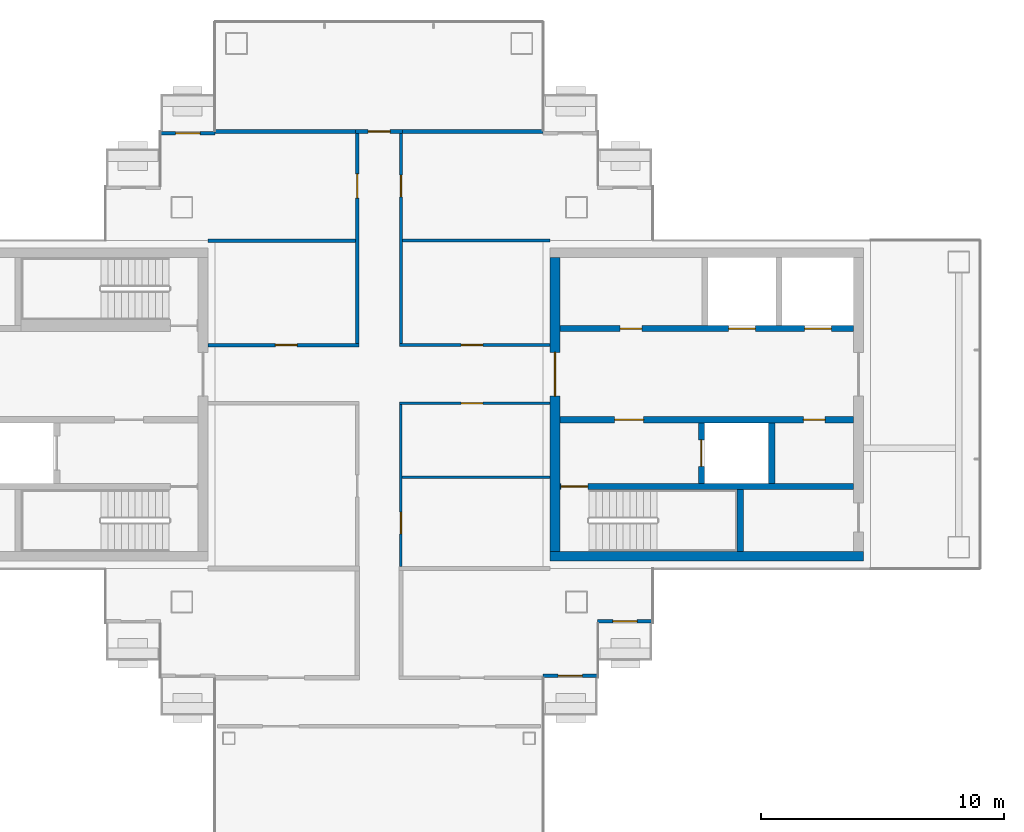
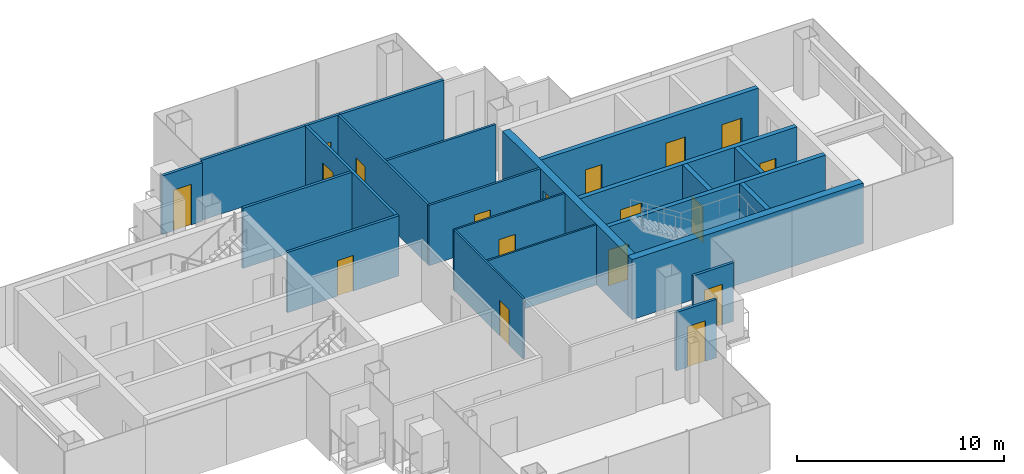
# One storey, part 10 of 16: 23 walls, 18 doors, 18 openings.
"""IFC4 building model written with IfcOpenShell, lengths in metres."""

import ifcopenshell
import ifcopenshell.guid

model = None  # the IFC model being written
_history = None  # IfcOwnerHistory: only IFC2X3 demands one
_inside = {}  # id of a spatial element -> (the spatial element, [elements in it])
_under = {}  # id of a project, library or spatial element -> (it, [spatial elements below it])
_declared = {}  # id of a project -> (the project, [libraries it declares])
_typed = {}  # id of a type object -> (the type object, [elements of that type])
_made_of = {}  # id of a material, layer set ... -> (it, [elements and type objects made of it])


def new_model(schema):
    """Start an empty IFC model of exactly this schema.

    Asked for "IFC4X3", IfcOpenShell would pick the latest addendum, in which some entities
    have other attributes; the version numbers below select the first issue.
    IFC2X3 requires an IfcOwnerHistory on every rooted entity: one is made here for all.
    """
    global model, _history
    if schema == "IFC4X3":
        model = ifcopenshell.file(schema_version=(4, 3, 0, 0))
    else:
        model = ifcopenshell.file(schema=schema)
    _inside.clear()
    _under.clear()
    _declared.clear()
    _typed.clear()
    _made_of.clear()
    _history = None
    if model.schema == "IFC2X3":
        org = make("IfcOrganization", Name="unknown")
        user = make(
            "IfcPersonAndOrganization",
            ThePerson=make("IfcPerson", FamilyName="unknown"),
            TheOrganization=org,
        )
        app = make(
            "IfcApplication",
            ApplicationDeveloper=org,
            Version="unknown",
            ApplicationFullName="unknown",
            ApplicationIdentifier="unknown",
        )
        _history = make(
            "IfcOwnerHistory",
            OwningUser=user,
            OwningApplication=app,
            ChangeAction="ADDED",
            CreationDate=0,
        )
    return model


def make(cls, **values):
    """One entity of the class cls with the attributes given. An attribute that is None is left unset."""
    return model.create_entity(
        cls, **{name: value for name, value in values.items() if value is not None}
    )


def rooted(cls, **values):
    """An entity with a GlobalId (a new one), such as an element, a storey or a relation."""
    return make(cls, GlobalId=ifcopenshell.guid.new(), OwnerHistory=_history, **values)


def si_unit(unit_type, name, prefix=None):
    """IfcSIUnit, for example si_unit("LENGTHUNIT", "METRE", prefix="MILLI")."""
    return make("IfcSIUnit", UnitType=unit_type, Prefix=prefix, Name=name)


def assignment(units):
    """IfcUnitAssignment: the units of a project."""
    return None if units is None else make("IfcUnitAssignment", Units=units)


def point(xyz):
    """IfcCartesianPoint."""
    return None if xyz is None else make("IfcCartesianPoint", Coordinates=xyz)


def direction(xyz):
    """IfcDirection."""
    return None if xyz is None else make("IfcDirection", DirectionRatios=xyz)


def frame(location, z_axis=None, x_axis=None):
    """IfcAxis2Placement3D, a coordinate frame: its origin and axes. An axis left out is left unset."""
    return make(
        "IfcAxis2Placement3D",
        Location=point(location),
        Axis=direction(z_axis),
        RefDirection=direction(x_axis),
    )


def frame_2d(location, x_axis=None):
    """IfcAxis2Placement2D, a coordinate frame in the plane: its origin and x axis."""
    return make(
        "IfcAxis2Placement2D", Location=point(location), RefDirection=direction(x_axis)
    )


def origin():
    """The frame at (0, 0, 0) with its axes left unset."""
    return frame((0.0, 0.0, 0.0))


def place(relative_to, where):
    """IfcLocalPlacement: puts the frame where relative to a parent placement (None: the world)."""
    return make(
        "IfcLocalPlacement", PlacementRelTo=relative_to, RelativePlacement=where
    )


def context(
    kind, dimensions, precision=None, world=None, true_north=None, identifier=None
):
    """IfcGeometricRepresentationContext, for example the 3D "Model" context."""
    return make(
        "IfcGeometricRepresentationContext",
        ContextIdentifier=identifier,
        ContextType=kind,
        CoordinateSpaceDimension=dimensions,
        Precision=precision,
        WorldCoordinateSystem=world,
        TrueNorth=true_north,
    )


def subcontext(parent, identifier, kind, view, scale=None):
    """IfcGeometricRepresentationSubContext, for example "Body" below "Model"."""
    return make(
        "IfcGeometricRepresentationSubContext",
        ContextIdentifier=identifier,
        ContextType=kind,
        ParentContext=parent,
        TargetScale=scale,
        TargetView=view,
    )


def project(units=None, contexts=None):
    """IfcProject with its units and contexts."""
    return rooted(
        "IfcProject",
        Name="project",
        RepresentationContexts=contexts,
        UnitsInContext=assignment(units),
    )


def spatial(cls, under=None, at=None, **own):
    """A site, building, storey or space (cls), placed at a placement, below another one or the project."""
    s = rooted(cls, ObjectPlacement=at, **own)
    if under is not None:
        _under.setdefault(under.id(), (under, []))[1].append(s)
    return s


def profile(cls, at=None, kind="AREA", **sizes):
    """A parametric profile (cls). Its sizes go by their IFC names, for example OverallWidth=200.0."""
    return make(cls, ProfileType=kind, Position=at, **sizes)


def rectangle(**sizes):
    """IfcRectangleProfileDef."""
    return profile("IfcRectangleProfileDef", **sizes)


def extrude(swept, where, along, depth):
    """IfcExtrudedAreaSolid: the profile swept, set in the frame where, extruded along a direction by depth."""
    return make(
        "IfcExtrudedAreaSolid",
        SweptArea=swept,
        Position=where,
        ExtrudedDirection=direction(along),
        Depth=depth,
    )


def shape(context_of_items, identifier, shape_type, items):
    """IfcShapeRepresentation: the items that make up one representation, for example the "Body"."""
    return make(
        "IfcShapeRepresentation",
        ContextOfItems=context_of_items,
        RepresentationIdentifier=identifier,
        RepresentationType=shape_type,
        Items=items,
    )


def material(Name=None, Category=None):
    """IfcMaterial."""
    return make("IfcMaterial", Name=Name, Category=Category)


def layer(
    of_material, thickness, ventilated=None, Name=None, Category=None, Priority=None
):
    """IfcMaterialLayer: one layer of a wall or slab, of a material (None: an air gap)."""
    return make(
        "IfcMaterialLayer",
        Material=of_material,
        LayerThickness=thickness,
        IsVentilated=ventilated,
        Name=Name,
        Category=Category,
        Priority=Priority,
    )


def layer_set(layers, Name=None):
    """IfcMaterialLayerSet."""
    return make("IfcMaterialLayerSet", MaterialLayers=layers, LayerSetName=Name)


def made_of(thing, what):
    """Note that an element or type object is made of a material, layer set ...; save() writes the relation."""
    if what is not None:
        _made_of.setdefault(what.id(), (what, []))[1].append(thing)
    return thing


def type_object(cls, material=None, **own):
    """A type object (cls), such as IfcWallType, which elements share."""
    return made_of(rooted(cls, **own), material)


def element(
    cls,
    number,
    at=None,
    inside=None,
    cuts=None,
    type_object=None,
    material=None,
    context=None,
    identifier="Body",
    shape_type=None,
    held_by="IfcProductDefinitionShape",
    body=None,
    shapes=None,
    **own,
):
    """One element of the class cls, such as IfcWall. Its Tag is "e" and its number.

    at: its placement. inside: the storey or other place that contains it. cuts: it is an
    opening in that element (IfcRelVoidsElement). A single representation is given by context,
    identifier, shape_type and body (its items); several are given by shapes. held_by: the class
    of the entity that holds the representations. save() writes the other relations.
    """
    e = rooted(cls, Tag="e%d" % number, ObjectPlacement=at, **own)
    if body is not None:
        shapes = [shape(context, identifier, shape_type, body)]
    if shapes is not None:
        e.Representation = make(held_by, Representations=shapes)
    if inside is not None:
        _inside.setdefault(inside.id(), (inside, []))[1].append(e)
    if cuts is not None:
        rooted(
            "IfcRelVoidsElement", RelatingBuildingElement=cuts, RelatedOpeningElement=e
        )
    if type_object is not None:
        _typed.setdefault(type_object.id(), (type_object, []))[1].append(e)
    return made_of(e, material)


def fill(opening, filler):
    """IfcRelFillsElement: the door or window that sits in an opening."""
    return rooted(
        "IfcRelFillsElement",
        RelatingOpeningElement=opening,
        RelatedBuildingElement=filler,
    )


def aggregate(whole, parts):
    """IfcRelAggregates: a whole, such as a stair, and the parts it consists of."""
    return rooted("IfcRelAggregates", RelatingObject=whole, RelatedObjects=parts)


def save(model, path):
    """Write the relations noted so far, then the file.

    IfcRelAggregates (storeys below a building ...), IfcRelContainedInSpatialStructure (elements
    in a storey), IfcRelDefinesByType, IfcRelAssociatesMaterial and IfcRelDeclares: one each for
    every whole, place, type object, material and project.
    """
    for whole, parts in _under.values():
        aggregate(whole, parts)
    for where, things in _inside.values():
        rooted(
            "IfcRelContainedInSpatialStructure",
            RelatedElements=things,
            RelatingStructure=where,
        )
    for kind, things in _typed.values():
        rooted("IfcRelDefinesByType", RelatedObjects=things, RelatingType=kind)
    for what, things in _made_of.values():
        rooted("IfcRelAssociatesMaterial", RelatedObjects=things, RelatingMaterial=what)
    for by, libraries in _declared.values():
        rooted("IfcRelDeclares", RelatingContext=by, RelatedDefinitions=libraries)
    model.write(path)


model = new_model("IFC4")

# Units and contexts
model_context = context("Model", 3, precision=1e-05, world=origin(), true_north=direction((0.0, 1.0)))
body_context = subcontext(model_context, "Body", "Model", "MODEL_VIEW")
ifc_project = project(units=[si_unit("LENGTHUNIT", "METRE"), si_unit("AREAUNIT", "SQUARE_METRE"), si_unit("VOLUMEUNIT", "CUBIC_METRE"), si_unit("PLANEANGLEUNIT", "RADIAN"), si_unit("MASSUNIT", "GRAM", prefix="KILO")], contexts=[model_context])

# Site, building, storey
site_placement = place(None, origin())
site = spatial("IfcSite", under=ifc_project, at=site_placement, CompositionType="ELEMENT")
building_placement = place(site_placement, origin())
building = spatial("IfcBuilding", under=site, at=building_placement, Name="Shamsa Quay Exchange Towers", CompositionType="ELEMENT")
storey_placement = place(building_placement, frame((0.0, 0.0, 261.60009765625)))
storey = spatial("IfcBuildingStorey", under=building, at=storey_placement, Name="L63", CompositionType="ELEMENT", Elevation=261.60009765625)

# Wall, opening, door
ifc_material_1 = material(Name="Aluminium EN AW-6063 T6, black anodised, with black enamelled glass infill", Category="aluminium")
ifc_layer_1 = layer(ifc_material_1, 0.14990234375)
ifc_layer_set_1 = layer_set([ifc_layer_1], Name="BALCONY DOOR BAY WALL 150")
wall_type_1 = type_object("IfcWallType", Name="BALCONY DOOR BAY WALL 150", PredefinedType="SOLIDWALL", material=ifc_layer_set_1)
wall_1_placement = place(storey_placement, frame((-22.5, -8.925048828125, 0.0), z_axis=(0.0, 0.0, 1.0), x_axis=(-1.0, 0.0, 0.0)))
wall_1 = element("IfcWall", 1, at=wall_1_placement, inside=storey, type_object=wall_type_1, Name="Door bay T1-PKES L63", PredefinedType="SOLIDWALL", context=body_context, shape_type="SweptSolid", body=[
    extrude(rectangle(XDim=2.25, YDim=0.14990234375, at=frame_2d((1.125, 0.0))), origin(), (0.0, 0.0, 1.0), 3.449951171875),
])
opening_1_placement = place(wall_1_placement, frame((0.625, 0.0, 0.0)))
opening_1 = element("IfcOpeningElement", 2, at=opening_1_placement, cuts=wall_1, Name="Opening XD427", PredefinedType="OPENING", context=body_context, shape_type="SweptSolid", body=[
    extrude(rectangle(XDim=1.0, YDim=2.39990234375, at=frame_2d((0.5, 1.199951171875))), frame((0.0, 0.0849609375, 0.0), z_axis=(0.0, -1.0, 0.0), x_axis=(1.0, 0.0, 0.0)), (0.0, 0.0, 1.0), 0.169921875),
])
ifc_material_2 = material(Name="Aluminium EN AW-6063 T6, black anodised, with laminated glass leaf", Category="aluminium")
door_type_1 = type_object("IfcDoorType", Name="BALCONY DOOR 1000x2400", OperationType="SINGLE_SWING_LEFT", PredefinedType="DOOR", material=ifc_material_2)
door_1_placement = place(opening_1_placement, origin())
door_1 = element("IfcDoor", 3, at=door_1_placement, inside=storey, type_object=door_type_1, Name="Balcony door T1-PKES L63", OperationType="SINGLE_SWING_RIGHT", OverallHeight=2.39990234375, OverallWidth=1.0, PredefinedType="DOOR", context=body_context, shape_type="SweptSolid", body=[
    extrude(rectangle(XDim=1.0, YDim=2.39990234375, at=frame_2d((0.5, 1.199951171875))), frame((0.0, 0.02490234375, 0.0), z_axis=(0.0, -1.0, 0.0), x_axis=(1.0, 0.0, 0.0)), (0.0, 0.0, 1.0), 0.050048828125),
])
fill(opening_1, door_1)

wall_2_placement = place(storey_placement, frame((-24.75, -11.175048828125, 0.0), z_axis=(0.0, 0.0, 1.0), x_axis=(-1.0, 0.0, 0.0)))
wall_2 = element("IfcWall", 4, at=wall_2_placement, inside=storey, type_object=wall_type_1, Name="Door bay T1-PKES L63", PredefinedType="SOLIDWALL", context=body_context, shape_type="SweptSolid", body=[
    extrude(rectangle(XDim=2.25, YDim=0.14990234375, at=frame_2d((1.125, 0.0))), origin(), (0.0, 0.0, 1.0), 3.449951171875),
])
opening_2_placement = place(wall_2_placement, frame((0.625, 0.0, 0.0)))
opening_2 = element("IfcOpeningElement", 5, at=opening_2_placement, cuts=wall_2, Name="Opening XD428", PredefinedType="OPENING", context=body_context, shape_type="SweptSolid", body=[
    extrude(rectangle(XDim=1.0, YDim=2.39990234375, at=frame_2d((0.5, 1.199951171875))), frame((0.0, 0.0849609375, 0.0), z_axis=(0.0, -1.0, 0.0), x_axis=(1.0, 0.0, 0.0)), (0.0, 0.0, 1.0), 0.169921875),
])
door_2_placement = place(opening_2_placement, origin())
door_2 = element("IfcDoor", 6, at=door_2_placement, inside=storey, type_object=door_type_1, Name="Balcony door T1-PKES L63", OperationType="SINGLE_SWING_LEFT", OverallHeight=2.39990234375, OverallWidth=1.0, PredefinedType="DOOR", context=body_context, shape_type="SweptSolid", body=[
    extrude(rectangle(XDim=1.0, YDim=2.39990234375, at=frame_2d((0.5, 1.199951171875))), frame((0.0, 0.02490234375, 0.0), z_axis=(0.0, -1.0, 0.0), x_axis=(1.0, 0.0, 0.0)), (0.0, 0.0, 1.0), 0.050048828125),
])
fill(opening_2, door_2)

wall_3_placement = place(storey_placement, frame((-42.75, 11.175048828125, 0.0)))
wall_3 = element("IfcWall", 7, at=wall_3_placement, inside=storey, type_object=wall_type_1, Name="Door bay T1-PKWN L63", PredefinedType="SOLIDWALL", context=body_context, shape_type="SweptSolid", body=[
    extrude(rectangle(XDim=2.25, YDim=0.14990234375, at=frame_2d((1.125, 0.0))), origin(), (0.0, 0.0, 1.0), 3.449951171875),
])
opening_3_placement = place(wall_3_placement, frame((0.625, 0.0, 0.0)))
opening_3 = element("IfcOpeningElement", 8, at=opening_3_placement, cuts=wall_3, Name="Opening XD429", PredefinedType="OPENING", context=body_context, shape_type="SweptSolid", body=[
    extrude(rectangle(XDim=1.0, YDim=2.39990234375, at=frame_2d((0.5, 1.199951171875))), frame((0.0, 0.0849609375, 0.0), z_axis=(0.0, -1.0, 0.0), x_axis=(1.0, 0.0, 0.0)), (0.0, 0.0, 1.0), 0.169921875),
])
door_3_placement = place(opening_3_placement, origin())
door_3 = element("IfcDoor", 9, at=door_3_placement, inside=storey, type_object=door_type_1, Name="Balcony door T1-PKWN L63", OperationType="SINGLE_SWING_LEFT", OverallHeight=2.39990234375, OverallWidth=1.0, PredefinedType="DOOR", context=body_context, shape_type="SweptSolid", body=[
    extrude(rectangle(XDim=1.0, YDim=2.39990234375, at=frame_2d((0.5, 1.199951171875))), frame((0.0, 0.02490234375, 0.0), z_axis=(0.0, -1.0, 0.0), x_axis=(1.0, 0.0, 0.0)), (0.0, 0.0, 1.0), 0.050048828125),
])
fill(opening_3, door_3)

# Wall
ifc_material_3 = material(Name="Concrete C60/75", Category="concrete")
ifc_layer_2 = layer(ifc_material_3, 0.39990234375)
ifc_layer_set_2 = layer_set([ifc_layer_2], Name="CORE WALL 400 C60/75")
wall_type_2 = type_object("IfcWallType", Name="CORE WALL 400 C60/75", PredefinedType="SHEAR", material=ifc_layer_set_2)
wall_4_placement = place(storey_placement, frame((-26.699951171875, -6.25, 0.0)))
element("IfcWall", 10, at=wall_4_placement, inside=storey, type_object=wall_type_2, Name="Core wall T1A-R29-PS", PredefinedType="SHEAR", context=body_context, shape_type="SweptSolid", body=[
    extrude(rectangle(XDim=12.89990234375, YDim=0.39990234375, at=frame_2d((6.449951171875, 0.0))), origin(), (0.0, 0.0, 1.0), 3.5498046875),
])

# Wall, opening, door
wall_5_placement = place(storey_placement, frame((-26.5, 6.050048828125, 0.0), z_axis=(0.0, 0.0, 1.0), x_axis=(0.0, -1.0, 0.0)))
wall_5 = element("IfcWall", 11, at=wall_5_placement, inside=storey, type_object=wall_type_2, Name="Core wall T1A-R29-PF", PredefinedType="SHEAR", context=body_context, shape_type="SweptSolid", body=[
    extrude(rectangle(XDim=12.10009765625, YDim=0.39990234375, at=frame_2d((6.050048828125, 0.0))), origin(), (0.0, 0.0, 1.0), 3.5498046875),
])
opening_4_placement = place(wall_5_placement, frame((3.89990234375, 0.0, 0.0)))
opening_4 = element("IfcOpeningElement", 12, at=opening_4_placement, cuts=wall_5, Name="Opening T1A-R29-LBD01", PredefinedType="OPENING", context=body_context, shape_type="SweptSolid", body=[
    extrude(rectangle(XDim=1.800048828125, YDim=2.39990234375, at=frame_2d((0.89990234375, 1.199951171875))), frame((0.0, 0.2099609375, 0.0), z_axis=(0.0, -1.0, 0.0), x_axis=(1.0, 0.0, 0.0)), (0.0, 0.0, 1.0), 0.419921875),
])
ifc_material_4 = material(Name="Steel, fire rated", Category="steel")
door_type_2 = type_object("IfcDoorType", Name="LIFT LOBBY DOOR PAIR 1800", OperationType="DOUBLE_DOOR_SINGLE_SWING", PredefinedType="DOOR", material=ifc_material_4)
door_4_placement = place(opening_4_placement, origin())
door_4 = element("IfcDoor", 13, at=door_4_placement, inside=storey, type_object=door_type_2, Name="T1A-R29-LBD01", OperationType="DOUBLE_DOOR_SINGLE_SWING", OverallHeight=2.39990234375, OverallWidth=1.800048828125, PredefinedType="DOOR", context=body_context, shape_type="SweptSolid", body=[
    extrude(rectangle(XDim=1.800048828125, YDim=2.39990234375, at=frame_2d((0.89990234375, 1.199951171875))), frame((0.0, 0.02490234375, 0.0), z_axis=(0.0, -1.0, 0.0), x_axis=(1.0, 0.0, 0.0)), (0.0, 0.0, 1.0), 0.050048828125),
])
fill(opening_4, door_4)

ifc_material_5 = material(Name="Laminated fire-resisting glass in a metal frame", Category="glass")
ifc_layer_3 = layer(ifc_material_5, 0.125)
ifc_layer_set_3 = layer_set([ifc_layer_3], Name="Glazed partition 125 mm EI 60")
wall_type_3 = type_object("IfcWallType", Name="Glazed partition 125 mm EI 60", PredefinedType="PARTITIONING", material=ifc_layer_set_3)
wall_6_placement = place(storey_placement, frame((-32.849609375, 11.175048828125, 0.0), z_axis=(0.0, 0.0, 1.0), x_axis=(0.0, -1.0, 0.0)))
wall_6 = element("IfcWall", 14, at=wall_6_placement, inside=storey, type_object=wall_type_3, Name="Partition T1-R29-W01", PredefinedType="PARTITIONING", context=body_context, shape_type="SweptSolid", body=[
    extrude(rectangle(XDim=8.662353515625, YDim=0.125, at=frame_2d((4.3310546875, 0.0))), origin(), (0.0, 0.0, 1.0), 3.5498046875),
])
opening_5_placement = place(wall_6_placement, frame((1.72509765625, 0.0, 0.0)))
opening_5 = element("IfcOpeningElement", 15, at=opening_5_placement, cuts=wall_6, Name="Opening T1-R29-D11", PredefinedType="OPENING", context=body_context, shape_type="SweptSolid", body=[
    extrude(rectangle(XDim=0.89990234375, YDim=2.10009765625, at=frame_2d((0.449951171875, 1.050048828125))), frame((0.0, 0.072509765625, 0.0), z_axis=(0.0, -1.0, 0.0), x_axis=(1.0, 0.0, 0.0)), (0.0, 0.0, 1.0), 0.14501953125),
])
ifc_material_6 = material(Name="Timber door leaf in a metal frame", Category="wood")
door_type_3 = type_object("IfcDoorType", Name="Door 900x2100 FD30S", OperationType="NOTDEFINED", PredefinedType="DOOR", material=ifc_material_6)
door_5_placement = place(opening_5_placement, origin())
door_5 = element("IfcDoor", 16, at=door_5_placement, inside=storey, type_object=door_type_3, Name="Door T1-R29-D11", OperationType="SINGLE_SWING_RIGHT", OverallHeight=2.10009765625, OverallWidth=0.89990234375, PredefinedType="DOOR", context=body_context, shape_type="SweptSolid", body=[
    extrude(rectangle(XDim=0.89990234375, YDim=2.10009765625, at=frame_2d((0.449951171875, 1.050048828125))), frame((0.0, 0.02490234375, 0.0), z_axis=(0.0, -1.0, 0.0), x_axis=(1.0, 0.0, 0.0)), (0.0, 0.0, 1.0), 0.050048828125),
])
fill(opening_5, door_5)

wall_7_placement = place(storey_placement, frame((-32.912109375, 2.4501953125, 0.0)))
wall_7 = element("IfcWall", 17, at=wall_7_placement, inside=storey, type_object=wall_type_3, Name="Partition T1-R29-W02", PredefinedType="PARTITIONING", context=body_context, shape_type="SweptSolid", body=[
    extrude(rectangle(XDim=6.212158203125, YDim=0.125, at=frame_2d((3.10595703125, 0.0))), origin(), (0.0, 0.0, 1.0), 3.5498046875),
])
opening_6_placement = place(wall_7_placement, frame((2.537353515625, 0.0, 0.0)))
opening_6 = element("IfcOpeningElement", 18, at=opening_6_placement, cuts=wall_7, Name="Opening T1-R29-D10", PredefinedType="OPENING", context=body_context, shape_type="SweptSolid", body=[
    extrude(rectangle(XDim=0.89990234375, YDim=2.10009765625, at=frame_2d((0.449951171875, 1.050048828125))), frame((0.0, 0.072509765625, 0.0), z_axis=(0.0, -1.0, 0.0), x_axis=(1.0, 0.0, 0.0)), (0.0, 0.0, 1.0), 0.14501953125),
])
door_6_placement = place(opening_6_placement, origin())
door_6 = element("IfcDoor", 19, at=door_6_placement, inside=storey, type_object=door_type_3, Name="Door T1-R29-D10", OperationType="SINGLE_SWING_RIGHT", OverallHeight=2.10009765625, OverallWidth=0.89990234375, PredefinedType="DOOR", context=body_context, shape_type="SweptSolid", body=[
    extrude(rectangle(XDim=0.89990234375, YDim=2.10009765625, at=frame_2d((0.449951171875, 1.050048828125))), frame((0.0, 0.02490234375, 0.0), z_axis=(0.0, -1.0, 0.0), x_axis=(1.0, 0.0, 0.0)), (0.0, 0.0, 1.0), 0.050048828125),
])
fill(opening_6, door_6)

# Wall
wall_8_placement = place(storey_placement, frame((-26.699951171875, 6.75, 0.0), z_axis=(0.0, 0.0, 1.0), x_axis=(-1.0, 0.0, 0.0)))
element("IfcWall", 20, at=wall_8_placement, inside=storey, type_object=wall_type_3, Name="Partition T1-R29-W15", PredefinedType="PARTITIONING", context=body_context, shape_type="SweptSolid", body=[
    extrude(rectangle(XDim=6.087158203125, YDim=0.125, at=frame_2d((3.04345703125, 0.0))), origin(), (0.0, 0.0, 1.0), 3.5498046875),
])

# Wall, opening, door
ifc_material_7 = material(Name="Gypsum board partition on metal studs")
ifc_layer_4 = layer(ifc_material_7, 0.10009765625)
ifc_layer_set_4 = layer_set([ifc_layer_4], Name="Partition 100 mm NOT RATED")
wall_type_4 = type_object("IfcWallType", Name="Partition 100 mm NOT RATED", PredefinedType="PARTITIONING", material=ifc_layer_set_4)
wall_9_placement = place(storey_placement, frame((-32.849609375, -0.000244140625, 0.0), z_axis=(0.0, 0.0, 1.0), x_axis=(0.0, -1.0, 0.0)))
wall_9 = element("IfcWall", 21, at=wall_9_placement, inside=storey, type_object=wall_type_4, Name="Partition T1-R29-W03", PredefinedType="PARTITIONING", context=body_context, shape_type="SweptSolid", body=[
    extrude(rectangle(XDim=6.6748046875, YDim=0.10009765625, at=frame_2d((3.33740234375, 0.0))), origin(), (0.0, 0.0, 1.0), 3.5498046875),
])
opening_7_placement = place(wall_9_placement, frame((4.4248046875, 0.0, 0.0)))
opening_7 = element("IfcOpeningElement", 22, at=opening_7_placement, cuts=wall_9, Name="Opening T1-R29-D09", PredefinedType="OPENING", context=body_context, shape_type="SweptSolid", body=[
    extrude(rectangle(XDim=0.89990234375, YDim=2.10009765625, at=frame_2d((0.449951171875, 1.050048828125))), frame((0.0, 0.06005859375, 0.0), z_axis=(0.0, -1.0, 0.0), x_axis=(1.0, 0.0, 0.0)), (0.0, 0.0, 1.0), 0.1201171875),
])
door_type_4 = type_object("IfcDoorType", Name="Door 900x2100 NOT RATED", OperationType="NOTDEFINED", PredefinedType="DOOR", material=ifc_material_6)
door_7_placement = place(opening_7_placement, origin())
door_7 = element("IfcDoor", 23, at=door_7_placement, inside=storey, type_object=door_type_4, Name="Door T1-R29-D09", OperationType="SINGLE_SWING_LEFT", OverallHeight=2.10009765625, OverallWidth=0.89990234375, PredefinedType="DOOR", context=body_context, shape_type="SweptSolid", body=[
    extrude(rectangle(XDim=0.89990234375, YDim=2.10009765625, at=frame_2d((0.449951171875, 1.050048828125))), frame((0.0, 0.02490234375, 0.0), z_axis=(0.0, -1.0, 0.0), x_axis=(1.0, 0.0, 0.0)), (0.0, 0.0, 1.0), 0.050048828125),
])
fill(opening_7, door_7)

wall_10_placement = place(storey_placement, frame((-26.699951171875, 0.0498046875, 0.0), z_axis=(0.0, 0.0, 1.0), x_axis=(-1.0, 0.0, 0.0)))
wall_10 = element("IfcWall", 24, at=wall_10_placement, inside=storey, type_object=wall_type_4, Name="Partition T1-R29-W04", PredefinedType="PARTITIONING", context=body_context, shape_type="SweptSolid", body=[
    extrude(rectangle(XDim=6.19970703125, YDim=0.10009765625, at=frame_2d((3.099853515625, 0.0))), origin(), (0.0, 0.0, 1.0), 3.5498046875),
])
opening_8_placement = place(wall_10_placement, frame((2.77490234375, 0.0, 0.0)))
opening_8 = element("IfcOpeningElement", 25, at=opening_8_placement, cuts=wall_10, Name="Opening T1-R29-D12", PredefinedType="OPENING", context=body_context, shape_type="SweptSolid", body=[
    extrude(rectangle(XDim=0.89990234375, YDim=2.10009765625, at=frame_2d((0.449951171875, 1.050048828125))), frame((0.0, 0.06005859375, 0.0), z_axis=(0.0, -1.0, 0.0), x_axis=(1.0, 0.0, 0.0)), (0.0, 0.0, 1.0), 0.1201171875),
])
door_8_placement = place(opening_8_placement, origin())
door_8 = element("IfcDoor", 26, at=door_8_placement, inside=storey, type_object=door_type_4, Name="Door T1-R29-D12", OperationType="SINGLE_SWING_LEFT", OverallHeight=2.10009765625, OverallWidth=0.89990234375, PredefinedType="DOOR", context=body_context, shape_type="SweptSolid", body=[
    extrude(rectangle(XDim=0.89990234375, YDim=2.10009765625, at=frame_2d((0.449951171875, 1.050048828125))), frame((0.0, 0.02490234375, 0.0), z_axis=(0.0, -1.0, 0.0), x_axis=(1.0, 0.0, 0.0)), (0.0, 0.0, 1.0), 0.050048828125),
])
fill(opening_8, door_8)

# Wall
wall_11_placement = place(storey_placement, frame((-26.699951171875, -3.0, 0.0), z_axis=(0.0, 0.0, 1.0), x_axis=(-1.0, 0.0, 0.0)))
element("IfcWall", 27, at=wall_11_placement, inside=storey, type_object=wall_type_4, Name="Partition T1-R29-W16", PredefinedType="PARTITIONING", context=body_context, shape_type="SweptSolid", body=[
    extrude(rectangle(XDim=6.099609375, YDim=0.10009765625, at=frame_2d((3.0498046875, 0.0))), origin(), (0.0, 0.0, 1.0), 3.5498046875),
])

# Wall, opening, door
ifc_layer_5 = layer(ifc_material_7, 0.14990234375)
ifc_layer_set_5 = layer_set([ifc_layer_5], Name="Partition 150 mm EI 60")
wall_type_5 = type_object("IfcWallType", Name="Partition 150 mm EI 60", PredefinedType="PARTITIONING", material=ifc_layer_set_5)
wall_12_placement = place(storey_placement, frame((-40.800048828125, 2.4501953125, 0.0)))
wall_12 = element("IfcWall", 28, at=wall_12_placement, inside=storey, type_object=wall_type_5, Name="Partition T1-R29-W05", PredefinedType="PARTITIONING", context=body_context, shape_type="SweptSolid", body=[
    extrude(rectangle(XDim=6.224609375, YDim=0.14990234375, at=frame_2d((3.1123046875, 0.0))), origin(), (0.0, 0.0, 1.0), 3.5498046875),
])
opening_9_placement = place(wall_12_placement, frame((2.77490234375, 0.0, 0.0)))
opening_9 = element("IfcOpeningElement", 29, at=opening_9_placement, cuts=wall_12, Name="Opening T1-R29-D04", PredefinedType="OPENING", context=body_context, shape_type="SweptSolid", body=[
    extrude(rectangle(XDim=0.89990234375, YDim=2.10009765625, at=frame_2d((0.449951171875, 1.050048828125))), frame((0.0, 0.0849609375, 0.0), z_axis=(0.0, -1.0, 0.0), x_axis=(1.0, 0.0, 0.0)), (0.0, 0.0, 1.0), 0.169921875),
])
door_9_placement = place(opening_9_placement, origin())
door_9 = element("IfcDoor", 30, at=door_9_placement, inside=storey, type_object=door_type_3, Name="Door T1-R29-D04", OperationType="SINGLE_SWING_RIGHT", OverallHeight=2.10009765625, OverallWidth=0.89990234375, PredefinedType="DOOR", context=body_context, shape_type="SweptSolid", body=[
    extrude(rectangle(XDim=0.89990234375, YDim=2.10009765625, at=frame_2d((0.449951171875, 1.050048828125))), frame((0.0, 0.02490234375, 0.0), z_axis=(0.0, -1.0, 0.0), x_axis=(1.0, 0.0, 0.0)), (0.0, 0.0, 1.0), 0.050048828125),
])
fill(opening_9, door_9)

wall_13_placement = place(storey_placement, frame((-34.650390625, 2.525146484375, 0.0), z_axis=(0.0, 0.0, 1.0), x_axis=(0.0, 1.0, 0.0)))
wall_13 = element("IfcWall", 31, at=wall_13_placement, inside=storey, type_object=wall_type_5, Name="Partition T1-R29-W07", PredefinedType="PARTITIONING", context=body_context, shape_type="SweptSolid", body=[
    extrude(rectangle(XDim=8.64990234375, YDim=0.14990234375, at=frame_2d((4.324951171875, 0.0))), origin(), (0.0, 0.0, 1.0), 3.5498046875),
])
opening_10_placement = place(wall_13_placement, frame((5.974853515625, 0.0, 0.0)))
opening_10 = element("IfcOpeningElement", 32, at=opening_10_placement, cuts=wall_13, Name="Opening T1-R29-D06", PredefinedType="OPENING", context=body_context, shape_type="SweptSolid", body=[
    extrude(rectangle(XDim=1.0, YDim=2.39990234375, at=frame_2d((0.5, 1.199951171875))), frame((0.0, 0.0849609375, 0.0), z_axis=(0.0, -1.0, 0.0), x_axis=(1.0, 0.0, 0.0)), (0.0, 0.0, 1.0), 0.169921875),
])
door_type_5 = type_object("IfcDoorType", Name="Door 1000x2400 FD30S", OperationType="NOTDEFINED", PredefinedType="DOOR", material=ifc_material_6)
door_10_placement = place(opening_10_placement, origin())
door_10 = element("IfcDoor", 33, at=door_10_placement, inside=storey, type_object=door_type_5, Name="Door T1-R29-D06", OperationType="SINGLE_SWING_LEFT", OverallHeight=2.39990234375, OverallWidth=1.0, PredefinedType="DOOR", context=body_context, shape_type="SweptSolid", body=[
    extrude(rectangle(XDim=1.0, YDim=2.39990234375, at=frame_2d((0.5, 1.199951171875))), frame((0.0, 0.02490234375, 0.0), z_axis=(0.0, -1.0, 0.0), x_axis=(1.0, 0.0, 0.0)), (0.0, 0.0, 1.0), 0.050048828125),
])
fill(opening_10, door_10)

wall_14_placement = place(storey_placement, frame((-34.725341796875, 11.25, 0.0)))
wall_14 = element("IfcWall", 34, at=wall_14_placement, inside=storey, type_object=wall_type_5, Name="Partition T1-R29-W09", PredefinedType="PARTITIONING", context=body_context, shape_type="SweptSolid", body=[
    extrude(rectangle(XDim=1.938232421875, YDim=0.14990234375, at=frame_2d((0.96923828125, 0.0))), origin(), (0.0, 0.0, 1.0), 3.5498046875),
])
opening_11_placement = place(wall_14_placement, frame((0.525390625, 0.0, 0.0)))
opening_11 = element("IfcOpeningElement", 35, at=opening_11_placement, cuts=wall_14, Name="Opening T1-R29-D07", PredefinedType="OPENING", context=body_context, shape_type="SweptSolid", body=[
    extrude(rectangle(XDim=0.89990234375, YDim=2.10009765625, at=frame_2d((0.449951171875, 1.050048828125))), frame((0.0, 0.0849609375, 0.0), z_axis=(0.0, -1.0, 0.0), x_axis=(1.0, 0.0, 0.0)), (0.0, 0.0, 1.0), 0.169921875),
])
door_11_placement = place(opening_11_placement, origin())
door_11 = element("IfcDoor", 36, at=door_11_placement, inside=storey, type_object=door_type_3, Name="Door T1-R29-D07", OperationType="SINGLE_SWING_RIGHT", OverallHeight=2.10009765625, OverallWidth=0.89990234375, PredefinedType="DOOR", context=body_context, shape_type="SweptSolid", body=[
    extrude(rectangle(XDim=0.89990234375, YDim=2.10009765625, at=frame_2d((0.449951171875, 1.050048828125))), frame((0.0, 0.02490234375, 0.0), z_axis=(0.0, -1.0, 0.0), x_axis=(1.0, 0.0, 0.0)), (0.0, 0.0, 1.0), 0.050048828125),
])
fill(opening_11, door_11)

# Walls
wall_15_placement = place(storey_placement, frame((-34.725341796875, 6.75, 0.0), z_axis=(0.0, 0.0, 1.0), x_axis=(-1.0, 0.0, 0.0)))
element("IfcWall", 37, at=wall_15_placement, inside=storey, type_object=wall_type_5, Name="Partition T1-R29-W18", PredefinedType="PARTITIONING", context=body_context, shape_type="SweptSolid", body=[
    extrude(rectangle(XDim=6.07470703125, YDim=0.14990234375, at=frame_2d((3.037353515625, 0.0))), origin(), (0.0, 0.0, 1.0), 3.5498046875),
])
wall_16_placement = place(storey_placement, frame((-27.0, 11.25, 0.0), z_axis=(0.0, 0.0, 1.0), x_axis=(-1.0, 0.0, 0.0)))
element("IfcWall", 38, at=wall_16_placement, inside=storey, type_object=wall_type_5, Name="Partition T1-R29-W20", PredefinedType="PARTITIONING", context=body_context, shape_type="SweptSolid", body=[
    extrude(rectangle(XDim=5.912109375, YDim=0.14990234375, at=frame_2d((2.9560546875, 0.0))), origin(), (0.0, 0.0, 1.0), 3.5498046875),
])
wall_17_placement = place(storey_placement, frame((-34.575439453125, 11.25, 0.0), z_axis=(0.0, 0.0, 1.0), x_axis=(-1.0, 0.0, 0.0)))
element("IfcWall", 39, at=wall_17_placement, inside=storey, type_object=wall_type_5, Name="Partition T1-R29-W21", PredefinedType="PARTITIONING", context=body_context, shape_type="SweptSolid", body=[
    extrude(rectangle(XDim=5.924560546875, YDim=0.14990234375, at=frame_2d((2.96240234375, 0.0))), origin(), (0.0, 0.0, 1.0), 3.5498046875),
])

# Wall, opening, door
ifc_material_8 = material(Name="Concrete C50/60", Category="concrete")
ifc_layer_6 = layer(ifc_material_8, 0.25)
ifc_layer_set_6 = layer_set([ifc_layer_6], Name="SHAFT WALL 250 C50/60")
wall_type_6 = type_object("IfcWallType", Name="SHAFT WALL 250 C50/60", PredefinedType="SHEAR", material=ifc_layer_set_6)
wall_18_placement = place(storey_placement, frame((-14.199951171875, -3.375, 0.0), z_axis=(0.0, 0.0, 1.0), x_axis=(-1.0, 0.0, 0.0)))
wall_18 = element("IfcWall", 40, at=wall_18_placement, inside=storey, type_object=wall_type_6, Name="Shaft wall T1A-R29-STL", PredefinedType="SHEAR", context=body_context, shape_type="SweptSolid", body=[
    extrude(rectangle(XDim=12.10009765625, YDim=0.25, at=frame_2d((6.050048828125, 0.0))), origin(), (0.0, 0.0, 1.0), 3.5498046875),
])
opening_12_placement = place(wall_18_placement, frame((10.949951171875, 0.0, 0.0)))
opening_12 = element("IfcOpeningElement", 41, at=opening_12_placement, cuts=wall_18, Name="Opening T1A-R29-SD04", PredefinedType="OPENING", context=body_context, shape_type="SweptSolid", body=[
    extrude(rectangle(XDim=1.10009765625, YDim=2.10009765625, at=frame_2d((0.550048828125, 1.050048828125))), frame((0.0, 0.135009765625, 0.0), z_axis=(0.0, -1.0, 0.0), x_axis=(1.0, 0.0, 0.0)), (0.0, 0.0, 1.0), 0.27001953125),
])
door_type_6 = type_object("IfcDoorType", Name="STAIR DOOR 1100", OperationType="SINGLE_SWING_LEFT", PredefinedType="DOOR", material=ifc_material_4)
door_12_placement = place(opening_12_placement, origin())
door_12 = element("IfcDoor", 42, at=door_12_placement, inside=storey, type_object=door_type_6, Name="T1A-R29-SD04", OperationType="SINGLE_SWING_RIGHT", OverallHeight=2.10009765625, OverallWidth=1.10009765625, PredefinedType="DOOR", context=body_context, shape_type="SweptSolid", body=[
    extrude(rectangle(XDim=1.10009765625, YDim=2.10009765625, at=frame_2d((0.550048828125, 1.050048828125))), frame((0.0, 0.02490234375, 0.0), z_axis=(0.0, -1.0, 0.0), x_axis=(1.0, 0.0, 0.0)), (0.0, 0.0, 1.0), 0.050048828125),
])
fill(opening_12, door_12)

# Wall
wall_19_placement = place(storey_placement, frame((-18.875, -6.050048828125, 0.0), z_axis=(0.0, 0.0, 1.0), x_axis=(0.0, 1.0, 0.0)))
element("IfcWall", 43, at=wall_19_placement, inside=storey, type_object=wall_type_6, Name="Shaft wall T1A-R29-STF", PredefinedType="SHEAR", context=body_context, shape_type="SweptSolid", body=[
    extrude(rectangle(XDim=2.550048828125, YDim=0.25, at=frame_2d((1.27490234375, 0.0))), origin(), (0.0, 0.0, 1.0), 3.5498046875),
])

# Wall, openings, doors
wall_20_placement = place(storey_placement, frame((-14.199951171875, -0.625, 0.0), z_axis=(0.0, 0.0, 1.0), x_axis=(-1.0, 0.0, 0.0)))
wall_20 = element("IfcWall", 44, at=wall_20_placement, inside=storey, type_object=wall_type_6, Name="Shaft wall T1A-R29-B", PredefinedType="SHEAR", context=body_context, shape_type="SweptSolid", body=[
    extrude(rectangle(XDim=12.10009765625, YDim=0.25, at=frame_2d((6.050048828125, 0.0))), origin(), (0.0, 0.0, 1.0), 3.5498046875),
])
opening_13_placement = place(wall_20_placement, frame((8.64990234375, 0.0, 0.0)))
opening_13 = element("IfcOpeningElement", 45, at=opening_13_placement, cuts=wall_20, Name="Opening T1A-R29-FD05", PredefinedType="OPENING", context=body_context, shape_type="SweptSolid", body=[
    extrude(rectangle(XDim=1.199951171875, YDim=2.10009765625, at=frame_2d((0.60009765625, 1.050048828125))), frame((0.0, 0.135009765625, 0.0), z_axis=(0.0, -1.0, 0.0), x_axis=(1.0, 0.0, 0.0)), (0.0, 0.0, 1.0), 0.27001953125),
])
opening_14_placement = place(wall_20_placement, frame((1.175048828125, 0.0, 0.0)))
opening_14 = element("IfcOpeningElement", 46, at=opening_14_placement, cuts=wall_20, Name="Opening T1A-R29-SV06", PredefinedType="OPENING", context=body_context, shape_type="SweptSolid", body=[
    extrude(rectangle(XDim=0.89990234375, YDim=2.10009765625, at=frame_2d((0.449951171875, 1.050048828125))), frame((0.0, 0.135009765625, 0.0), z_axis=(0.0, -1.0, 0.0), x_axis=(1.0, 0.0, 0.0)), (0.0, 0.0, 1.0), 0.27001953125),
])
door_type_7 = type_object("IfcDoorType", Name="FIRE SERVICE LOBBY DOOR 1200", OperationType="SINGLE_SWING_LEFT", PredefinedType="DOOR", material=ifc_material_4)
door_13_placement = place(opening_13_placement, origin())
door_13 = element("IfcDoor", 47, at=door_13_placement, inside=storey, type_object=door_type_7, Name="T1A-R29-FD05", OperationType="SINGLE_SWING_RIGHT", OverallHeight=2.10009765625, OverallWidth=1.199951171875, PredefinedType="DOOR", context=body_context, shape_type="SweptSolid", body=[
    extrude(rectangle(XDim=1.199951171875, YDim=2.10009765625, at=frame_2d((0.60009765625, 1.050048828125))), frame((0.0, 0.02490234375, 0.0), z_axis=(0.0, -1.0, 0.0), x_axis=(1.0, 0.0, 0.0)), (0.0, 0.0, 1.0), 0.050048828125),
])
fill(opening_13, door_13)
door_type_8 = type_object("IfcDoorType", Name="SERVICE ROOM DOOR 900", OperationType="SINGLE_SWING_LEFT", PredefinedType="DOOR", material=ifc_material_4)
door_14_placement = place(opening_14_placement, origin())
door_14 = element("IfcDoor", 48, at=door_14_placement, inside=storey, type_object=door_type_8, Name="T1A-R29-SV06", OperationType="SINGLE_SWING_LEFT", OverallHeight=2.10009765625, OverallWidth=0.89990234375, PredefinedType="DOOR", context=body_context, shape_type="SweptSolid", body=[
    extrude(rectangle(XDim=0.89990234375, YDim=2.10009765625, at=frame_2d((0.449951171875, 1.050048828125))), frame((0.0, 0.02490234375, 0.0), z_axis=(0.0, -1.0, 0.0), x_axis=(1.0, 0.0, 0.0)), (0.0, 0.0, 1.0), 0.050048828125),
])
fill(opening_14, door_14)

# Wall, opening, door
wall_21_placement = place(storey_placement, frame((-20.47509765625, -3.25, 0.0), z_axis=(0.0, 0.0, 1.0), x_axis=(0.0, 1.0, 0.0)))
wall_21 = element("IfcWall", 49, at=wall_21_placement, inside=storey, type_object=wall_type_6, Name="Shaft wall T1A-R29-FFF", PredefinedType="SHEAR", context=body_context, shape_type="SweptSolid", body=[
    extrude(rectangle(XDim=2.5, YDim=0.25, at=frame_2d((1.25, 0.0))), origin(), (0.0, 0.0, 1.0), 3.5498046875),
])
opening_15_placement = place(wall_21_placement, frame((0.699951171875, 0.0, 0.0)))
opening_15 = element("IfcOpeningElement", 50, at=opening_15_placement, cuts=wall_21, Name="Opening T1A-R29-LDF07", PredefinedType="OPENING", context=body_context, shape_type="SweptSolid", body=[
    extrude(rectangle(XDim=1.10009765625, YDim=2.10009765625, at=frame_2d((0.550048828125, 1.050048828125))), frame((0.0, 0.135009765625, 0.0), z_axis=(0.0, -1.0, 0.0), x_axis=(1.0, 0.0, 0.0)), (0.0, 0.0, 1.0), 0.27001953125),
])
door_type_9 = type_object("IfcDoorType", Name="FIRE SERVICE LANDING DOOR 1100", OperationType="SLIDING_TO_LEFT", PredefinedType="DOOR", material=ifc_material_4)
door_15_placement = place(opening_15_placement, origin())
door_15 = element("IfcDoor", 51, at=door_15_placement, inside=storey, type_object=door_type_9, Name="T1A-R29-LDF07", OperationType="SLIDING_TO_LEFT", OverallHeight=2.10009765625, OverallWidth=1.10009765625, PredefinedType="DOOR", context=body_context, shape_type="SweptSolid", body=[
    extrude(rectangle(XDim=1.10009765625, YDim=2.10009765625, at=frame_2d((0.550048828125, 1.050048828125))), frame((0.0, 0.02490234375, 0.0), z_axis=(0.0, -1.0, 0.0), x_axis=(1.0, 0.0, 0.0)), (0.0, 0.0, 1.0), 0.050048828125),
])
fill(opening_15, door_15)

# Wall
wall_22_placement = place(storey_placement, frame((-17.574951171875, -3.25, 0.0), z_axis=(0.0, 0.0, 1.0), x_axis=(0.0, 1.0, 0.0)))
element("IfcWall", 52, at=wall_22_placement, inside=storey, type_object=wall_type_6, Name="Shaft wall T1A-R29-FFB", PredefinedType="SHEAR", context=body_context, shape_type="SweptSolid", body=[
    extrude(rectangle(XDim=2.5, YDim=0.25, at=frame_2d((1.25, 0.0))), origin(), (0.0, 0.0, 1.0), 3.5498046875),
])

# Wall, openings, doors
wall_23_placement = place(storey_placement, frame((-26.300048828125, 3.125, 0.0)))
wall_23 = element("IfcWall", 53, at=wall_23_placement, inside=storey, type_object=wall_type_6, Name="Shaft wall T1A-R29-N", PredefinedType="SHEAR", context=body_context, shape_type="SweptSolid", body=[
    extrude(rectangle(XDim=12.10009765625, YDim=0.25, at=frame_2d((6.050048828125, 0.0))), origin(), (0.0, 0.0, 1.0), 3.5498046875),
])
opening_16_placement = place(wall_23_placement, frame((6.949951171875, 0.0, 0.0)))
opening_16 = element("IfcOpeningElement", 54, at=opening_16_placement, cuts=wall_23, Name="Opening T1A-R29-LD08", PredefinedType="OPENING", context=body_context, shape_type="SweptSolid", body=[
    extrude(rectangle(XDim=1.10009765625, YDim=2.10009765625, at=frame_2d((0.550048828125, 1.050048828125))), frame((0.0, 0.135009765625, 0.0), z_axis=(0.0, -1.0, 0.0), x_axis=(1.0, 0.0, 0.0)), (0.0, 0.0, 1.0), 0.27001953125),
])
opening_17_placement = place(wall_23_placement, frame((10.074951171875, 0.0, 0.0)))
opening_17 = element("IfcOpeningElement", 55, at=opening_17_placement, cuts=wall_23, Name="Opening T1A-R29-LD09", PredefinedType="OPENING", context=body_context, shape_type="SweptSolid", body=[
    extrude(rectangle(XDim=1.10009765625, YDim=2.10009765625, at=frame_2d((0.550048828125, 1.050048828125))), frame((0.0, 0.135009765625, 0.0), z_axis=(0.0, -1.0, 0.0), x_axis=(1.0, 0.0, 0.0)), (0.0, 0.0, 1.0), 0.27001953125),
])
opening_18_placement = place(wall_23_placement, frame((2.47509765625, 0.0, 0.0)))
opening_18 = element("IfcOpeningElement", 56, at=opening_18_placement, cuts=wall_23, Name="Opening T1A-R29-SV10", PredefinedType="OPENING", context=body_context, shape_type="SweptSolid", body=[
    extrude(rectangle(XDim=0.89990234375, YDim=2.10009765625, at=frame_2d((0.449951171875, 1.050048828125))), frame((0.0, 0.135009765625, 0.0), z_axis=(0.0, -1.0, 0.0), x_axis=(1.0, 0.0, 0.0)), (0.0, 0.0, 1.0), 0.27001953125),
])
door_type_10 = type_object("IfcDoorType", Name="LANDING DOOR 1100", OperationType="SLIDING_TO_LEFT", PredefinedType="DOOR", material=ifc_material_4)
door_16_placement = place(opening_16_placement, origin())
door_16 = element("IfcDoor", 57, at=door_16_placement, inside=storey, type_object=door_type_10, Name="T1A-R29-LD08", OperationType="SLIDING_TO_LEFT", OverallHeight=2.10009765625, OverallWidth=1.10009765625, PredefinedType="DOOR", context=body_context, shape_type="SweptSolid", body=[
    extrude(rectangle(XDim=1.10009765625, YDim=2.10009765625, at=frame_2d((0.550048828125, 1.050048828125))), frame((0.0, 0.02490234375, 0.0), z_axis=(0.0, -1.0, 0.0), x_axis=(1.0, 0.0, 0.0)), (0.0, 0.0, 1.0), 0.050048828125),
])
fill(opening_16, door_16)
door_17_placement = place(opening_17_placement, origin())
door_17 = element("IfcDoor", 58, at=door_17_placement, inside=storey, type_object=door_type_10, Name="T1A-R29-LD09", OperationType="SLIDING_TO_LEFT", OverallHeight=2.10009765625, OverallWidth=1.10009765625, PredefinedType="DOOR", context=body_context, shape_type="SweptSolid", body=[
    extrude(rectangle(XDim=1.10009765625, YDim=2.10009765625, at=frame_2d((0.550048828125, 1.050048828125))), frame((0.0, 0.02490234375, 0.0), z_axis=(0.0, -1.0, 0.0), x_axis=(1.0, 0.0, 0.0)), (0.0, 0.0, 1.0), 0.050048828125),
])
fill(opening_17, door_17)
door_18_placement = place(opening_18_placement, origin())
door_18 = element("IfcDoor", 59, at=door_18_placement, inside=storey, type_object=door_type_8, Name="T1A-R29-SV10", OperationType="SINGLE_SWING_LEFT", OverallHeight=2.10009765625, OverallWidth=0.89990234375, PredefinedType="DOOR", context=body_context, shape_type="SweptSolid", body=[
    extrude(rectangle(XDim=0.89990234375, YDim=2.10009765625, at=frame_2d((0.449951171875, 1.050048828125))), frame((0.0, 0.02490234375, 0.0), z_axis=(0.0, -1.0, 0.0), x_axis=(1.0, 0.0, 0.0)), (0.0, 0.0, 1.0), 0.050048828125),
])
fill(opening_18, door_18)

save(model, "model.ifc")
